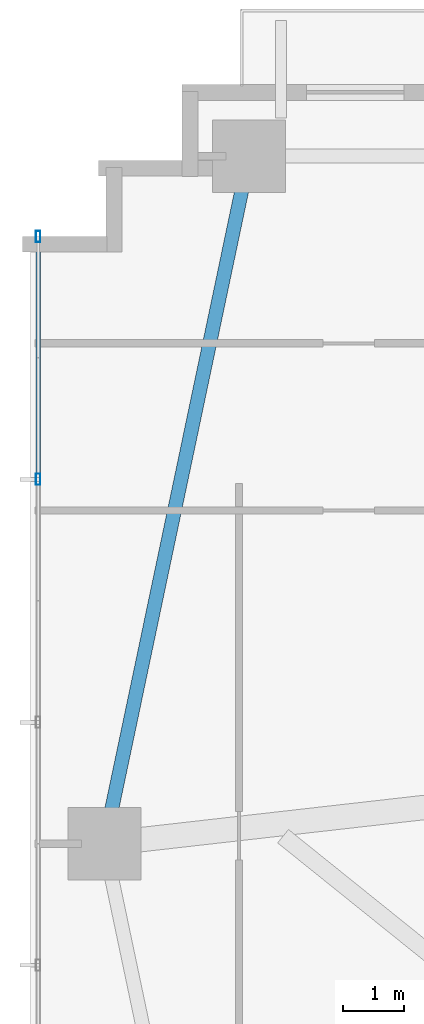
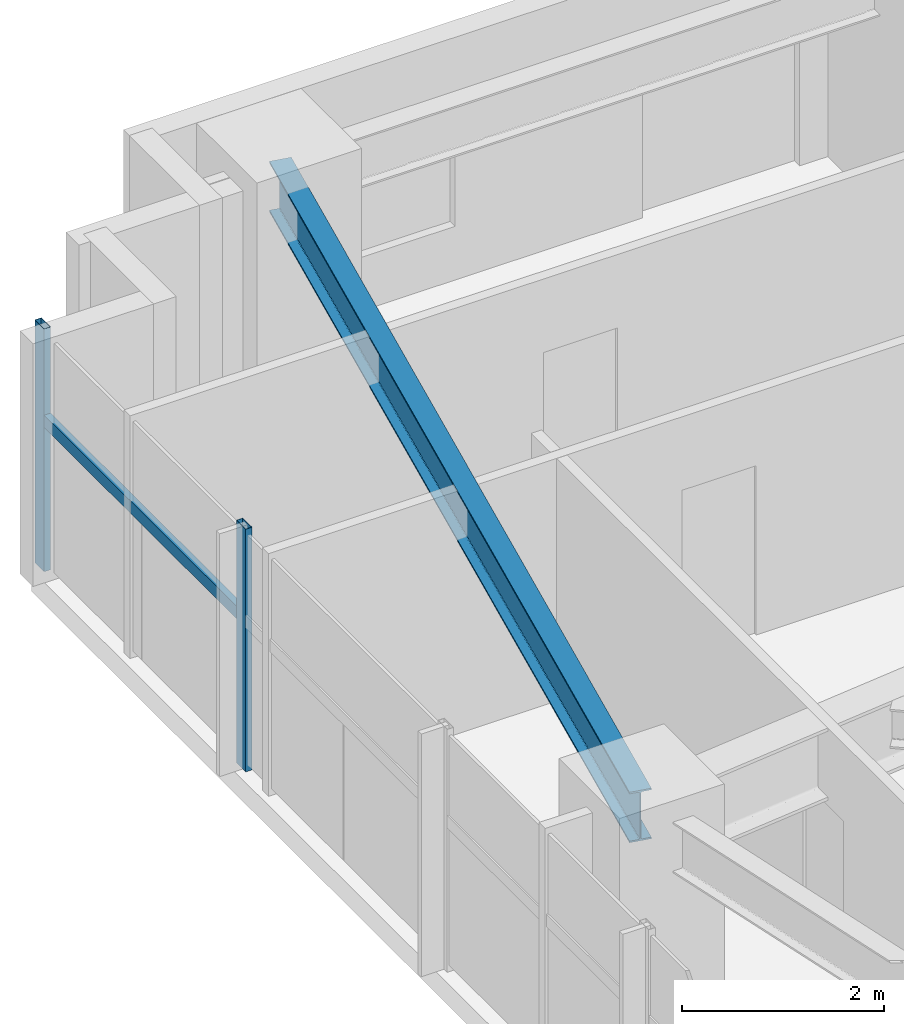
# One storey, part 8 of 25: 3 members, 1 beam, 1 element without a shape of its own.
"""IFC4 building model written with IfcOpenShell, lengths in metres."""

from ifc_helpers import new_model, si_unit, direction, frame, origin, origin_2d, place, context, subcontext, project, spatial, hollow_rectangle, i_section, extrude, source, transform, mapped, material, material_profile, profile_set, type_object, type_shapes, element, aggregate, save


model = new_model("IFC4")

# Units and contexts
model_context = context("Model", 3, precision=1e-05, world=origin(), true_north=direction((0.0, 1.0)))
body_context = subcontext(model_context, "Body", "Model", "MODEL_VIEW")
ifc_project = project(units=[si_unit("LENGTHUNIT", "METRE"), si_unit("AREAUNIT", "SQUARE_METRE"), si_unit("VOLUMEUNIT", "CUBIC_METRE"), si_unit("PLANEANGLEUNIT", "RADIAN"), si_unit("MASSUNIT", "GRAM", prefix="KILO")], contexts=[model_context])

# Site, building, storey
site_placement = place(None, origin())
site = spatial("IfcSite", under=ifc_project, at=site_placement, CompositionType="ELEMENT")
building_placement = place(site_placement, origin())
building = spatial("IfcBuilding", under=site, at=building_placement, Name="Astriad Promenade Condominiums", CompositionType="ELEMENT")
storey_placement = place(building_placement, frame((0.0, 0.0, 51.800048828125)))
storey = spatial("IfcBuildingStorey", under=building, at=storey_placement, Name="L14", CompositionType="ELEMENT", Elevation=51.800048828125)

# Beam
ifc_material_1 = material(Name="Steel ASTM A992 Grade 50", Category="steel")
ifc_material_profile_1 = material_profile(ifc_material_1, i_section(OverallWidth=0.22900390625, OverallDepth=0.612060546875, WebThickness=0.011962890625, FlangeThickness=0.01953125, FilletRadius=0.017822265625, at=origin_2d()), Name="W24X84")
ifc_profile_set_1 = profile_set([ifc_material_profile_1], Name="Steel ASTM A992 Grade 50")
beam_type = type_object("IfcBeamType", Name="STEEL SPANDREL BEAM W24X84", PredefinedType="SPANDREL", material=ifc_profile_set_1)
shared_shape_1 = source(origin(), body_context, "Body", "SweptSolid", [
    extrude(i_section(OverallWidth=0.22900390625, OverallDepth=0.612060546875, WebThickness=0.011962890625, FlangeThickness=0.01953125, FilletRadius=0.017822265625, at=origin_2d()), origin(), (0.0, 0.0, 1.0), 11.48779296875),
])
type_shapes(beam_type, [shared_shape_1])
beam_placement = place(storey_placement, frame((9.391845703125, 26.48095703125, 2.634033203125), z_axis=(-0.205743776427, -0.978605895374, 0.0), x_axis=(0.978605895374, -0.205743776427, 0.0)))
element("IfcBeam", 1, at=beam_placement, inside=storey, type_object=beam_type, Name="Perimeter Spandrel Beam SP-W2-L14", PredefinedType="SPANDREL", context=body_context, shape_type="MappedRepresentation", body=[
    mapped(shared_shape_1, transform((0.0, 0.0, 0.0), scale=1.0)),
])

# Curtain wall, members
ifc_material_2 = material(Name="Anodised aluminium Black Dark Glass Unitised", Category="aluminium")
curtain_wall_type = type_object("IfcCurtainWallType", Name="CW-B1-DARK", PredefinedType="USERDEFINED", material=ifc_material_2)
curtain_wall_placement = place(storey_placement, origin())
curtain_wall = element("IfcCurtainWall", 2, at=curtain_wall_placement, inside=storey, type_object=curtain_wall_type, Name="CW-L14-W", ObjectType="UNITISED_CURTAIN_WALL", PredefinedType="USERDEFINED")
ifc_material_3 = material(Name="Anodised aluminium 6063-T6 Black", Category="aluminium")
ifc_material_profile_2 = material_profile(ifc_material_3, hollow_rectangle(XDim=0.074951171875, YDim=0.18505859375, WallThickness=0.00439453125, at=origin_2d()), Name="ALU-MUL-75X185")
ifc_profile_set_2 = profile_set([ifc_material_profile_2], Name="Anodised aluminium 6063-T6 Black")
member_type_1 = type_object("IfcMemberType", Name="MUL-ALU-MUL-75X185", PredefinedType="MULLION", material=ifc_profile_set_2)
shared_shape_2 = source(origin(), body_context, "Body", "SweptSolid", [
    extrude(hollow_rectangle(XDim=0.074951171875, YDim=0.18505859375, WallThickness=0.00439453125, at=origin_2d()), origin(), (0.0, 0.0, 1.0), 2.93994140625),
])
type_shapes(member_type_1, [shared_shape_2])
member_1_placement = place(storey_placement, frame((5.929931640625, 21.199951171875, 0.0), z_axis=(0.0, 0.0, 1.0), x_axis=(1.0, 0.0, 0.0)))
member_1 = element("IfcMember", 3, at=member_1_placement, type_object=member_type_1, Name="CW-L14-W-MUL-04", PredefinedType="MULLION", context=body_context, shape_type="MappedRepresentation", body=[
    mapped(shared_shape_2, transform((0.0, 0.0, 0.0), scale=1.0)),
])
member_2_placement = place(storey_placement, frame((5.929931640625, 25.199951171875, 0.0), z_axis=(0.0, 0.0, 1.0), x_axis=(1.0, 0.0, 0.0)))
member_2 = element("IfcMember", 4, at=member_2_placement, type_object=member_type_1, Name="CW-L14-W-MUL-05", PredefinedType="MULLION", context=body_context, shape_type="MappedRepresentation", body=[
    mapped(shared_shape_2, transform((0.0, 0.0, 0.0), scale=1.0)),
])
ifc_material_profile_3 = material_profile(ifc_material_3, hollow_rectangle(XDim=0.074951171875, YDim=0.14990234375, WallThickness=0.004150390625, at=origin_2d()), Name="ALU-TRN-75X150")
ifc_profile_set_3 = profile_set([ifc_material_profile_3], Name="Anodised aluminium 6063-T6 Black")
member_type_2 = type_object("IfcMemberType", Name="TRN-ALU-TRN-75X150", PredefinedType="USERDEFINED", material=ifc_profile_set_3)
shared_shape_3 = source(origin(), body_context, "Body", "SweptSolid", [
    extrude(hollow_rectangle(XDim=0.074951171875, YDim=0.14990234375, WallThickness=0.004150390625, at=origin_2d()), origin(), (0.0, 0.0, 1.0), 4.0),
])
type_shapes(member_type_2, [shared_shape_3])
member_3_placement = place(storey_placement, frame((5.929931640625, 21.199951171875, 1.82275390625), z_axis=(0.0, 1.0, 0.0), x_axis=(-1.0, 0.0, 0.0)))
member_3 = element("IfcMember", 5, at=member_3_placement, type_object=member_type_2, Name="CW-L14-W-TRN-04-0", ObjectType="TRANSOM", PredefinedType="USERDEFINED", context=body_context, shape_type="MappedRepresentation", body=[
    mapped(shared_shape_3, transform((0.0, 0.0, 0.0), scale=1.0)),
])
aggregate(curtain_wall, [member_1, member_2, member_3])

save(model, "model.ifc")
